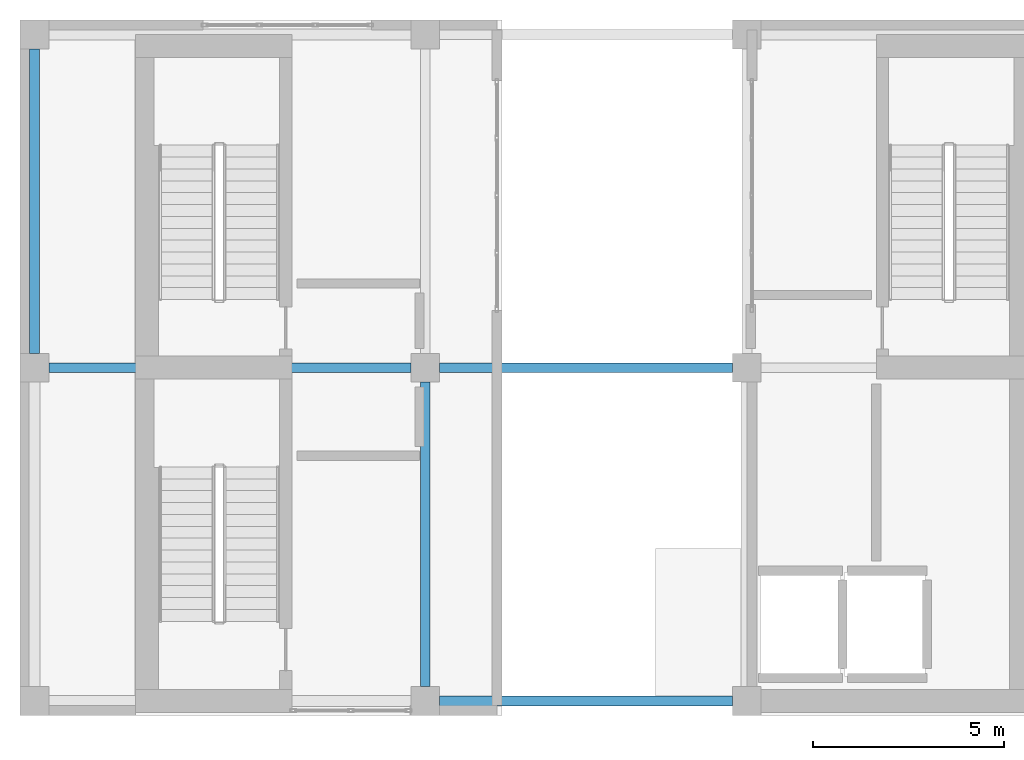
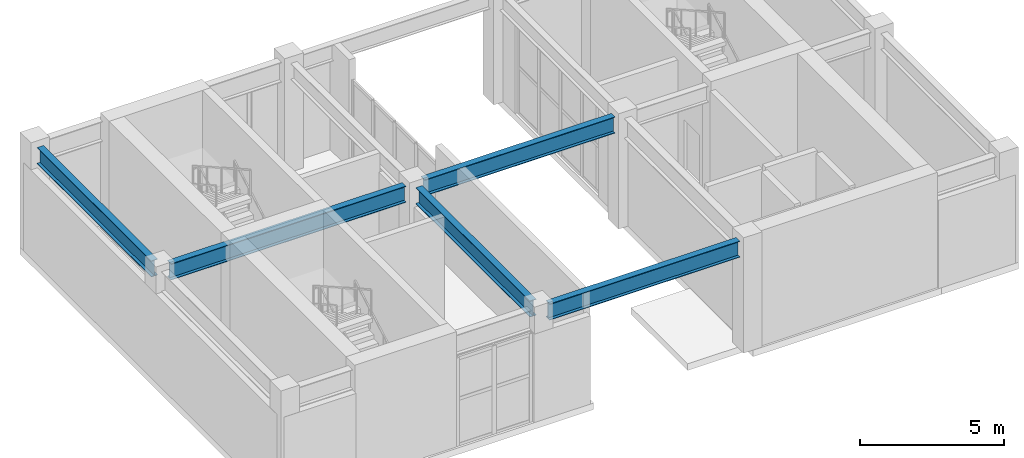
# One storey, part 3 of 11: 5 beams.
"""IFC4 building model written with IfcOpenShell, lengths in metres."""

from ifc_helpers import new_model, si_unit, direction, frame, origin, origin_2d, place, context, subcontext, project, spatial, i_section, extrude, material, material_profile, profile_set, type_object, element, save


model = new_model("IFC4")

# Units and contexts
model_context = context("Model", 3, precision=1e-05, world=origin(), true_north=direction((0.0, 1.0)))
body_context = subcontext(model_context, "Body", "Model", "MODEL_VIEW")
ifc_project = project(units=[si_unit("LENGTHUNIT", "METRE"), si_unit("AREAUNIT", "SQUARE_METRE"), si_unit("VOLUMEUNIT", "CUBIC_METRE"), si_unit("PLANEANGLEUNIT", "RADIAN"), si_unit("MASSUNIT", "GRAM", prefix="KILO")], contexts=[model_context])

# Site, building, storey
site_placement = place(None, origin())
site = spatial("IfcSite", under=ifc_project, at=site_placement, CompositionType="ELEMENT")
building_placement = place(site_placement, origin())
building = spatial("IfcBuilding", under=site, at=building_placement, Name="Solanera Arch Residences", CompositionType="ELEMENT")
storey_placement = place(building_placement, frame((0.0, 0.0, 282.97998046875)))
storey = spatial("IfcBuildingStorey", under=building, at=storey_placement, Name="L81", CompositionType="ELEMENT", Elevation=282.97998046875)

# Beams
ifc_material = material(Name="Steel S355 (ASTM A992 / A572 Grade 50)", Category="steel")
ifc_material_profile = material_profile(ifc_material, i_section(OverallWidth=0.256103515625, OverallDepth=0.693115234375, WebThickness=0.014404296875, FlangeThickness=0.023681640625, at=origin_2d()))
ifc_profile_set = profile_set([ifc_material_profile], Name="Steel S355 (ASTM A992 / A572 Grade 50)")
beam_type = type_object("IfcBeamType", Name="Primary Beam W690X170", PredefinedType="BEAM", material=ifc_profile_set)
beam_placement = place(storey_placement, frame((10.97509765625, 30.699951171875, 4.27392578125), z_axis=(1.0, 0.0, 0.0), x_axis=(0.0, 1.0, 0.0)))
element("IfcBeam", 1, at=beam_placement, inside=storey, type_object=beam_type, Name="BM-L81-CR-WM", PredefinedType="BEAM", context=body_context, shape_type="SweptSolid", body=[
    extrude(i_section(OverallWidth=0.256103515625, OverallDepth=0.693115234375, WebThickness=0.014404296875, FlangeThickness=0.023681640625, at=origin_2d()), origin(), (0.0, 0.0, 1.0), 9.449951171875),
])
for number, where, z_axis, x_axis, name in (
    (2, (10.60009765625, 31.074951171875, 4.27392578125), (0.0, 1.0, 0.0), (-1.0, 0.0, 0.0), "BM-L81-CR-W2"),
    (3, (20.800048828125, 22.375, 4.27392578125), (0.0, 1.0, 0.0), (-1.0, 0.0, 0.0), "BM-L81-CR-W3"),
):
    element("IfcBeam", number, at=place(storey_placement, frame(where, z_axis=z_axis, x_axis=x_axis)), inside=storey, type_object=beam_type, Name=name, PredefinedType="BEAM", context=body_context, shape_type="SweptSolid", body=[
        extrude(i_section(OverallWidth=0.256103515625, OverallDepth=0.693115234375, WebThickness=0.014404296875, FlangeThickness=0.023681640625, at=origin_2d()), origin(), (0.0, 0.0, 1.0), 7.949951171875),
    ])
for number, where, z_axis, x_axis, name in (
    (4, (21.175048828125, 22.0, 4.27392578125), (1.0, 0.0, 0.0), (0.0, 1.0, 0.0), "BM-L81-CR-TIE-S"),
    (5, (21.175048828125, 30.699951171875, 4.27392578125), (1.0, 0.0, 0.0), (0.0, 1.0, 0.0), "BM-L81-CR-TIE-C"),
):
    element("IfcBeam", number, at=place(storey_placement, frame(where, z_axis=z_axis, x_axis=x_axis)), inside=storey, type_object=beam_type, Name=name, PredefinedType="BEAM", context=body_context, shape_type="SweptSolid", body=[
        extrude(i_section(OverallWidth=0.256103515625, OverallDepth=0.693115234375, WebThickness=0.014404296875, FlangeThickness=0.023681640625, at=origin_2d()), origin(), (0.0, 0.0, 1.0), 7.64990234375),
    ])

save(model, "model.ifc")
